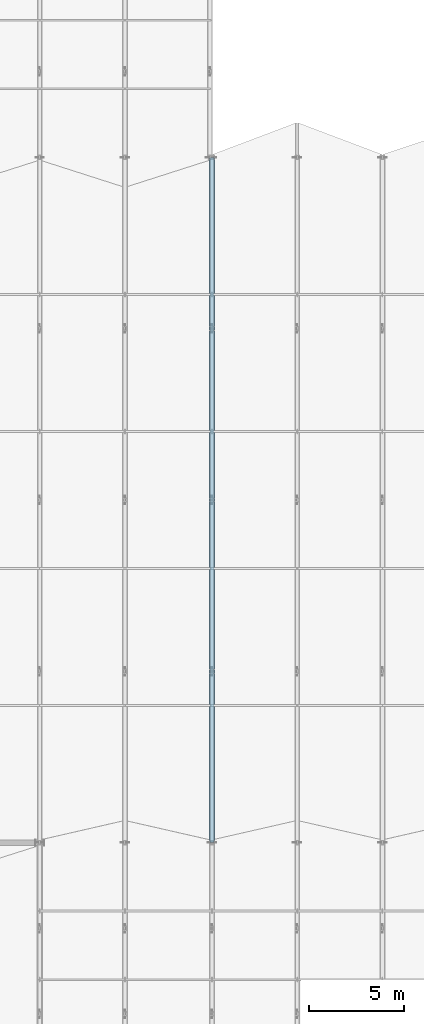
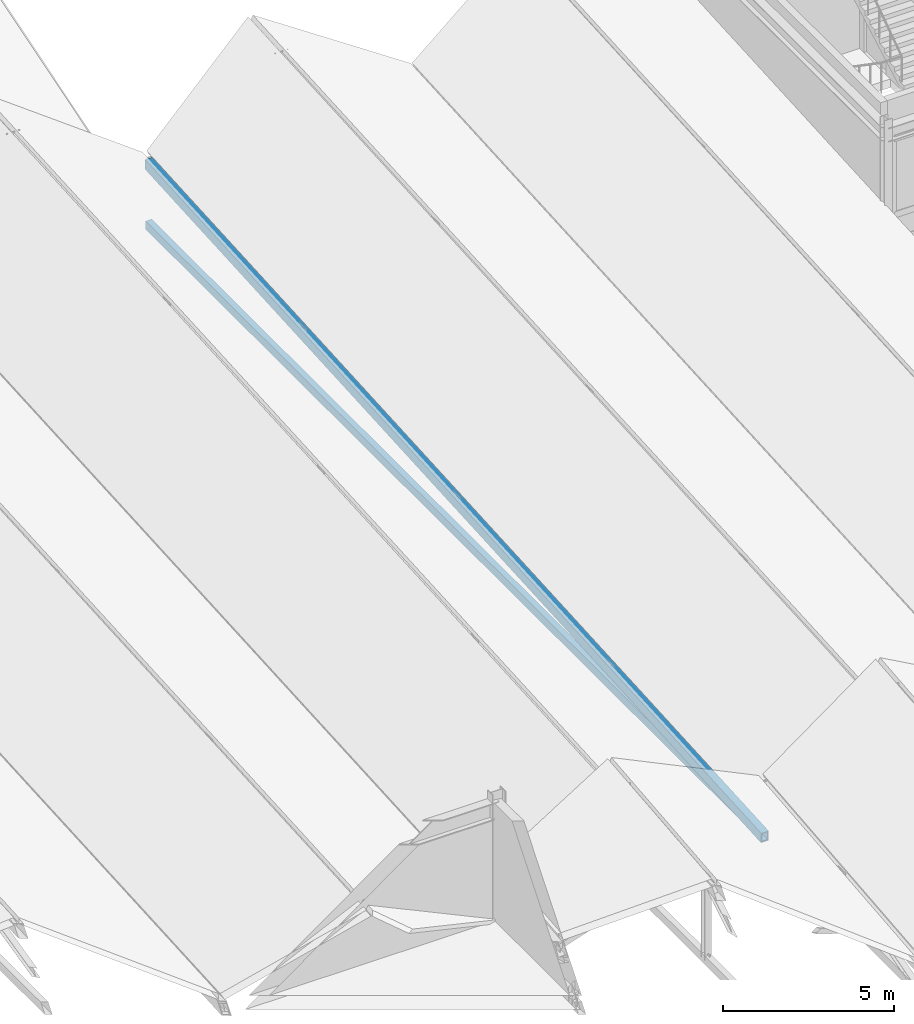
# One storey, part 41 of 142: 2 members.
"""IFC4 building model written with IfcOpenShell, lengths in metres."""

from ifc_helpers import new_model, si_unit, direction, frame, origin, origin_2d, place, context, subcontext, project, spatial, hollow_rectangle, extrude, material, material_profile, profile_set, type_object, element, save


model = new_model("IFC4")

# Units and contexts
model_context = context("Model", 3, precision=1e-05, world=origin(), true_north=direction((0.0, 1.0)))
body_context = subcontext(model_context, "Body", "Model", "MODEL_VIEW")
ifc_project = project(units=[si_unit("LENGTHUNIT", "METRE"), si_unit("AREAUNIT", "SQUARE_METRE"), si_unit("VOLUMEUNIT", "CUBIC_METRE"), si_unit("PLANEANGLEUNIT", "RADIAN"), si_unit("MASSUNIT", "GRAM", prefix="KILO")], contexts=[model_context])

# Site, building, storey
site_placement = place(None, origin())
site = spatial("IfcSite", under=ifc_project, at=site_placement, CompositionType="ELEMENT")
building_placement = place(site_placement, origin())
building = spatial("IfcBuilding", under=site, at=building_placement, Name="Montelvaro Courts of Justice", CompositionType="ELEMENT")
storey_placement = place(building_placement, frame((0.0, 0.0, 14.39990234375)))
storey = spatial("IfcBuildingStorey", under=building, at=storey_placement, Name="L03", CompositionType="ELEMENT", Elevation=14.39990234375)

# Members
ifc_material = material(Name="Steel S355", Category="steel")
ifc_material_profile_1 = material_profile(ifc_material, hollow_rectangle(XDim=0.199951171875, YDim=0.300048828125, WallThickness=0.012451171875, at=origin_2d()), Name="RHS 300x200x12.5")
ifc_profile_set_1 = profile_set([ifc_material_profile_1], Name="Steel S355")
member_type_1 = type_object("IfcMemberType", Name="Mem_RHS300_Chord", PredefinedType="CHORD", material=ifc_profile_set_1)
member_1_placement = place(storey_placement, frame((81.050048828125, 42.0, -0.2998046875), z_axis=(0.0, 1.0, 0.0), x_axis=(-1.0, 0.0, 0.0)))
element("IfcMember", 1, at=member_1_placement, inside=storey, type_object=member_type_1, Name="Roof Truss ROOF-PASSAGE-VTR04 Bottom Chord", PredefinedType="CHORD", context=body_context, shape_type="SweptSolid", body=[
    extrude(hollow_rectangle(XDim=0.199951171875, YDim=0.300048828125, WallThickness=0.012451171875, at=origin_2d()), origin(), (0.0, 0.0, 1.0), 36.0),
])
ifc_material_profile_2 = material_profile(ifc_material, hollow_rectangle(XDim=0.25, YDim=0.35009765625, WallThickness=0.012451171875, at=origin_2d()), Name="RHS 350x250x12.5")
ifc_profile_set_2 = profile_set([ifc_material_profile_2], Name="Steel S355")
member_type_2 = type_object("IfcMemberType", Name="Mem_RHS350_Chord", PredefinedType="CHORD", material=ifc_profile_set_2)
member_2_placement = place(storey_placement, frame((81.050048828125, 42.0, -0.31982421875), z_axis=(0.0, 0.998138012374, 0.060995969167), x_axis=(-1.0, 0.0, 0.0)))
element("IfcMember", 2, at=member_2_placement, inside=storey, type_object=member_type_2, Name="Roof Truss ROOF-PASSAGE-VTR04 Top Chord", PredefinedType="CHORD", context=body_context, shape_type="SweptSolid", body=[
    extrude(hollow_rectangle(XDim=0.25, YDim=0.35009765625, WallThickness=0.012451171875, at=origin_2d()), origin(), (0.0, 0.0, 1.0), 36.067138671875),
])

save(model, "model.ifc")
